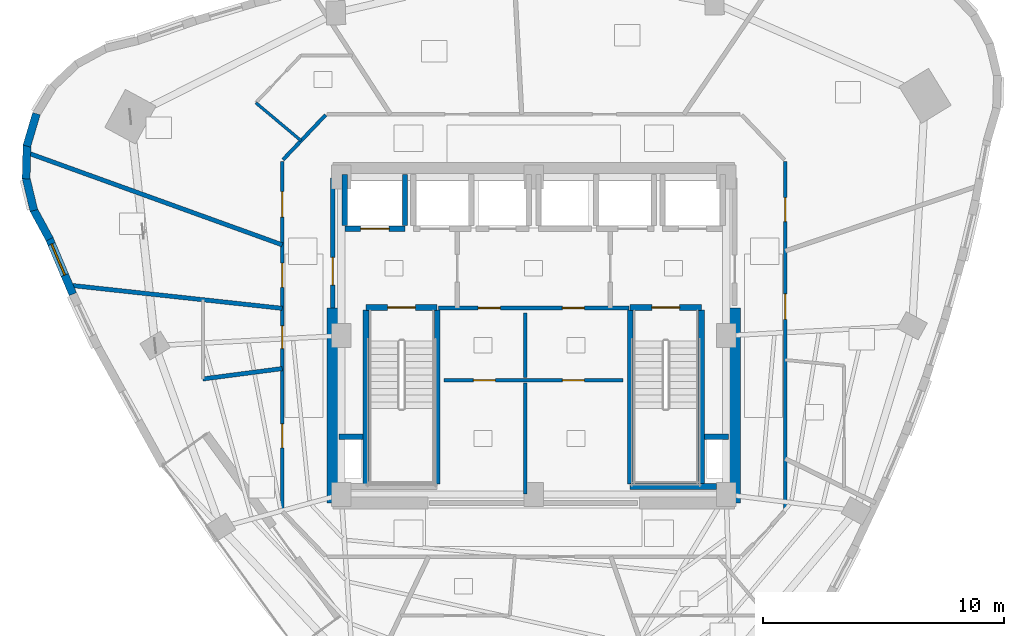
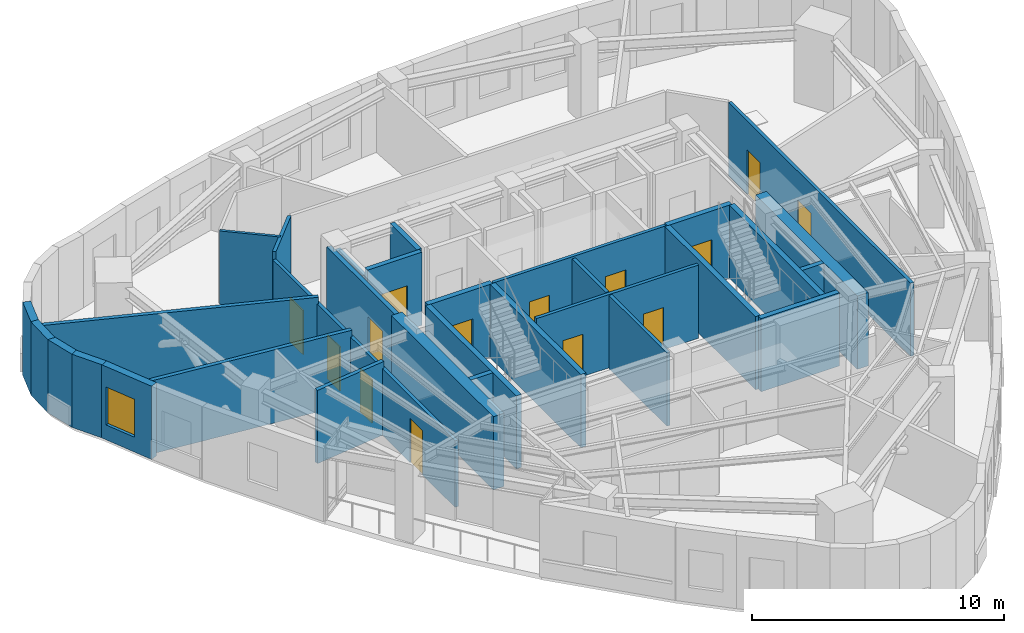
# One storey, part 7 of 13: 31 walls, 14 doors, 1 window, 15 openings.
"""IFC4 building model written with IfcOpenShell, lengths in metres."""

from ifc_helpers import new_model, si_unit, direction, frame, frame_2d, origin, place, context, subcontext, project, spatial, rectangle, extrude, material, layer, layer_set, type_object, element, fill, save


model = new_model("IFC4")

# Units and contexts
model_context = context("Model", 3, precision=1e-05, world=origin(), true_north=direction((0.0, 1.0)))
body_context = subcontext(model_context, "Body", "Model", "MODEL_VIEW")
ifc_project = project(units=[si_unit("LENGTHUNIT", "METRE"), si_unit("AREAUNIT", "SQUARE_METRE"), si_unit("VOLUMEUNIT", "CUBIC_METRE"), si_unit("PLANEANGLEUNIT", "RADIAN"), si_unit("MASSUNIT", "GRAM", prefix="KILO")], contexts=[model_context])

# Site, building, storey
site_placement = place(None, origin())
site = spatial("IfcSite", under=ifc_project, at=site_placement, CompositionType="ELEMENT")
building_placement = place(site_placement, origin())
building = spatial("IfcBuilding", under=site, at=building_placement, Name="Ndelora Gate Hotel", CompositionType="ELEMENT")
storey_placement = place(building_placement, frame((0.0, 0.0, 235.949951171875)))
storey = spatial("IfcBuildingStorey", under=building, at=storey_placement, Name="L59", CompositionType="ELEMENT", Elevation=235.949951171875)

# Walls
ifc_material_1 = material(Name="Acoustic Double-Stud Gypsum Assembly", Category="gypsum")
ifc_layer_1 = layer(ifc_material_1, 0.179931640625)
ifc_layer_set_1 = layer_set([ifc_layer_1], Name="Acoustic Double-Stud Gypsum Assembly")
wall_type_1 = type_object("IfcWallType", Name="WL-ACOUST-180", PredefinedType="PARTITIONING", material=ifc_layer_set_1)
wall_1_placement = place(storey_placement, frame((-10.449951171875, -1.3662109375, 0.0), z_axis=(0.0, 0.0, 1.0), x_axis=(-0.991563556278, -0.129621425164, 0.0)))
element("IfcWall", 1, at=wall_1_placement, inside=storey, type_object=wall_type_1, Name="L59 Interior Wall IW-3", PredefinedType="PARTITIONING", context=body_context, shape_type="SweptSolid", body=[
    extrude(rectangle(XDim=3.328125, YDim=0.179931640625, at=frame_2d((1.6640625, 0.0))), origin(), (0.0, 0.0, 1.0), 3.550048828125),
])
wall_2_placement = place(storey_placement, frame((-10.449951171875, 3.77490234375, 0.0), z_axis=(0.0, 0.0, 1.0), x_axis=(-0.9405132002, 0.339757148931, 0.0)))
element("IfcWall", 2, at=wall_2_placement, inside=storey, type_object=wall_type_1, Name="L59 Interior Wall IW-3", PredefinedType="PARTITIONING", context=body_context, shape_type="SweptSolid", body=[
    extrude(rectangle(XDim=11.28662109375, YDim=0.179931640625, at=frame_2d((5.643310546875, 0.0))), origin(), (0.0, 0.0, 1.0), 3.550048828125),
])
wall_3_placement = place(storey_placement, frame((-10.449951171875, 1.136474609375, 0.0), z_axis=(0.0, 0.0, 1.0), x_axis=(-0.994137295644, 0.108125100741, 0.0)))
element("IfcWall", 3, at=wall_3_placement, inside=storey, type_object=wall_type_1, Name="L59 Interior Wall IW-3", PredefinedType="PARTITIONING", context=body_context, shape_type="SweptSolid", body=[
    extrude(rectangle(XDim=8.912109375, YDim=0.179931640625, at=frame_2d((4.4560546875, 0.0))), origin(), (0.0, 0.0, 1.0), 3.550048828125),
])
ifc_material_2 = material(Name="Clay Brick Masonry", Category="masonry")
ifc_layer_2 = layer(ifc_material_2, 0.330078125)
ifc_layer_set_2 = layer_set([ifc_layer_2], Name="Clay Brick Masonry")
wall_type_2 = type_object("IfcWallType", Name="WL-BRICK-330", PredefinedType="SOLIDWALL", material=ifc_layer_set_2)
wall_4_placement = place(storey_placement, frame((-21.064697265625, 7.878173828125, 0.0), z_axis=(0.0, 0.0, 1.0), x_axis=(0.284100140437, 0.958794613149, 0.0)))
element("IfcWall", 4, at=wall_4_placement, inside=storey, type_object=wall_type_2, Name="L59 Tower Brick Pier-and-Spandrel Wall TWR-5", PredefinedType="SOLIDWALL", context=body_context, shape_type="SweptSolid", body=[
    extrude(rectangle(XDim=1.40771484375, YDim=0.330078125, at=frame_2d((0.703857421875, 0.0))), origin(), (0.0, 0.0, 1.0), 3.550048828125),
])
for number, where, z_axis, x_axis, name in (
    (5, (-21.09375, 6.520263671875, 0.0), (0.0, 0.0, 1.0), (0.02619264168, 0.999656913907, 0.0), "L59 Tower Brick Pier-and-Spandrel Wall TWR-6"),
    (6, (-20.770263671875, 5.200927734375, 0.0), (0.0, 0.0, 1.0), (-0.233464793771, 0.972365255482, 0.0), "L59 Tower Brick Pier-and-Spandrel Wall TWR-7"),
):
    element("IfcWall", number, at=place(storey_placement, frame(where, z_axis=z_axis, x_axis=x_axis)), inside=storey, type_object=wall_type_2, Name=name, PredefinedType="SOLIDWALL", context=body_context, shape_type="SweptSolid", body=[
        extrude(rectangle(XDim=1.407470703125, YDim=0.330078125, at=frame_2d((0.70361328125, 0.0))), origin(), (0.0, 0.0, 1.0), 3.550048828125),
    ])
wall_5_placement = place(storey_placement, frame((-20.116455078125, 4.01025390625, 0.0), z_axis=(0.0, 0.0, 1.0), x_axis=(-0.477137792558, 0.878828496871, 0.0)))
element("IfcWall", 7, at=wall_5_placement, inside=storey, type_object=wall_type_2, Name="L59 Tower Brick Pier-and-Spandrel Wall TWR-8", PredefinedType="SOLIDWALL", context=body_context, shape_type="SweptSolid", body=[
    extrude(rectangle(XDim=1.40771484375, YDim=0.330078125, at=frame_2d((0.703857421875, 0.0))), origin(), (0.0, 0.0, 1.0), 3.550048828125),
])

# Wall, opening, window
wall_6_placement = place(storey_placement, frame((-19.151611328125, 1.726806640625, 0.0), z_axis=(0.0, 0.0, 1.0), x_axis=(-0.390140710462, 0.920755247631, 0.0)))
wall_6 = element("IfcWall", 8, at=wall_6_placement, inside=storey, type_object=wall_type_2, Name="L59 Tower Brick Pier-and-Spandrel Wall TWR-9", PredefinedType="SOLIDWALL", context=body_context, shape_type="SweptSolid", body=[
    extrude(rectangle(XDim=2.52880859375, YDim=0.330078125, at=frame_2d((1.264404296875, 0.0))), origin(), (0.0, 0.0, 1.0), 3.550048828125),
])
opening_1_placement = place(wall_6_placement, frame((0.860107421875, 0.0, 0.719970703125)))
opening_1 = element("IfcOpeningElement", 9, at=opening_1_placement, cuts=wall_6, Name="Opening W02", PredefinedType="OPENING", context=body_context, shape_type="SweptSolid", body=[
    extrude(rectangle(XDim=1.39990234375, YDim=1.840087890625, at=frame_2d((0.699951171875, 0.919921875))), frame((0.0, 0.175048828125, 0.0), z_axis=(0.0, -1.0, 0.0), x_axis=(1.0, 0.0, 0.0)), (0.0, 0.0, 1.0), 0.35009765625),
])
ifc_material_3 = material(Name="Insulated Low-E Double Glazing in Bronze Aluminium Frame", Category="aluminium")
window_type = type_object("IfcWindowType", Name="WN-DEEP-1400", PartitioningType="SINGLE_PANEL", PredefinedType="WINDOW", material=ifc_material_3)
window_placement = place(opening_1_placement, origin())
window = element("IfcWindow", 10, at=window_placement, inside=storey, type_object=window_type, Name="L59 Deep-Set Brick-Pier Window W02", OverallHeight=1.840087890625, OverallWidth=1.39990234375, PartitioningType="SINGLE_PANEL", PredefinedType="WINDOW", context=body_context, shape_type="SweptSolid", body=[
    extrude(rectangle(XDim=1.39990234375, YDim=1.840087890625, at=frame_2d((0.699951171875, 0.919921875))), frame((0.0, 0.030029296875, 0.0), z_axis=(0.0, -1.0, 0.0), x_axis=(1.0, 0.0, 0.0)), (0.0, 0.0, 1.0), 0.06005859375),
])
fill(opening_1, window)

# Walls
ifc_material_4 = material(Name="Concrete C50/60", Category="concrete")
ifc_layer_3 = layer(ifc_material_4, 0.5)
ifc_layer_set_3 = layer_set([ifc_layer_3], Name="Concrete C50/60")
wall_type_3 = type_object("IfcWallType", Name="WL-CORE-500", PredefinedType="SHEAR", material=ifc_layer_set_3)
for number, where, z_axis, x_axis, name in (
    (11, (-8.35009765625, -6.949951171875, 0.0), (0.0, 0.0, 1.0), (0.0, 1.0, 0.0), "L59 Core Shear Wall W"),
    (12, (8.35009765625, -6.949951171875, 0.0), (0.0, 0.0, 1.0), (0.0, 1.0, 0.0), "L59 Core Shear Wall E"),
):
    element("IfcWall", number, at=place(storey_placement, frame(where, z_axis=z_axis, x_axis=x_axis)), inside=storey, type_object=wall_type_3, Name=name, PredefinedType="SHEAR", context=body_context, shape_type="SweptSolid", body=[
        extrude(rectangle(XDim=8.099853515625, YDim=0.5, at=frame_2d((4.0498046875, 0.0))), origin(), (0.0, 0.0, 1.0), 3.550048828125),
    ])

# Wall, opening, door
ifc_material_5 = material(Name="Concrete C40/50", Category="concrete")
ifc_layer_4 = layer(ifc_material_5, 0.199951171875)
ifc_layer_set_4 = layer_set([ifc_layer_4], Name="Concrete C40/50")
wall_type_4 = type_object("IfcWallType", Name="WL-FIRE-200", PredefinedType="PARTITIONING", material=ifc_layer_set_4)
wall_7_placement = place(storey_placement, frame((-8.35009765625, 1.14990234375, 0.0), z_axis=(0.0, 0.0, 1.0), x_axis=(0.0, 1.0, 0.0)))
wall_7 = element("IfcWall", 13, at=wall_7_placement, inside=storey, type_object=wall_type_4, Name="L59 Interior Wall IW-2", PredefinedType="PARTITIONING", context=body_context, shape_type="SweptSolid", body=[
    extrude(rectangle(XDim=5.400146484375, YDim=0.199951171875, at=frame_2d((2.7001953125, 0.0))), origin(), (0.0, 0.0, 1.0), 3.550048828125),
])
opening_2_placement = place(wall_7_placement, frame((0.949951171875, 0.0, 0.0)))
opening_2 = element("IfcOpeningElement", 14, at=opening_2_placement, cuts=wall_7, Name="Opening FD1", PredefinedType="OPENING", context=body_context, shape_type="SweptSolid", body=[
    extrude(rectangle(XDim=1.14990234375, YDim=2.14990234375, at=frame_2d((0.574951171875, 1.074951171875))), frame((0.0, 0.10986328125, 0.0), z_axis=(0.0, -1.0, 0.0), x_axis=(1.0, 0.0, 0.0)), (0.0, 0.0, 1.0), 0.219970703125),
])
ifc_material_6 = material(Name="Fire-Rated Timber-Veneer Steel Core", Category="steel")
door_type_1 = type_object("IfcDoorType", Name="DR-FD60", OperationType="SINGLE_SWING_LEFT", PredefinedType="DOOR", material=ifc_material_6)
door_1_placement = place(opening_2_placement, origin())
door_1 = element("IfcDoor", 15, at=door_1_placement, inside=storey, type_object=door_type_1, Name="L59 Firefighting Lobby West Corridor Door", OperationType="SINGLE_SWING_LEFT", OverallHeight=2.14990234375, OverallWidth=1.14990234375, PredefinedType="DOOR", context=body_context, shape_type="SweptSolid", body=[
    extrude(rectangle(XDim=1.14990234375, YDim=2.14990234375, at=frame_2d((0.574951171875, 1.074951171875))), frame((0.0, 0.02490234375, 0.0), z_axis=(0.0, -1.0, 0.0), x_axis=(1.0, 0.0, 0.0)), (0.0, 0.0, 1.0), 0.050048828125),
])
fill(opening_2, door_1)

# Wall, openings, doors
ifc_material_7 = material(Name="Fire-Rated Gypsum Stud Partition", Category="gypsum")
ifc_layer_5 = layer(ifc_material_7, 0.14990234375)
ifc_layer_set_5 = layer_set([ifc_layer_5], Name="Fire-Rated Gypsum Stud Partition")
wall_type_5 = type_object("IfcWallType", Name="WL-PART-150", PredefinedType="PARTITIONING", material=ifc_layer_set_5)
wall_8_placement = place(storey_placement, frame((3.949951171875, 1.14990234375, 0.0), z_axis=(0.0, 0.0, 1.0), x_axis=(-1.0, 0.0, 0.0)))
wall_8 = element("IfcWall", 16, at=wall_8_placement, inside=storey, type_object=wall_type_5, Name="L59 Interior Wall IW-5", PredefinedType="PARTITIONING", context=body_context, shape_type="SweptSolid", body=[
    extrude(rectangle(XDim=7.89990234375, YDim=0.14990234375, at=frame_2d((3.949951171875, 0.0))), origin(), (0.0, 0.0, 1.0), 3.550048828125),
])
opening_3_placement = place(wall_8_placement, frame((5.340087890625, 0.0, 0.0)))
opening_3 = element("IfcOpeningElement", 17, at=opening_3_placement, cuts=wall_8, Name="Opening D04", PredefinedType="OPENING", context=body_context, shape_type="SweptSolid", body=[
    extrude(rectangle(XDim=0.919921875, YDim=2.050048828125, at=frame_2d((0.4599609375, 1.02490234375))), frame((0.0, 0.0849609375, 0.0), z_axis=(0.0, -1.0, 0.0), x_axis=(1.0, 0.0, 0.0)), (0.0, 0.0, 1.0), 0.169921875),
])
opening_4_placement = place(wall_8_placement, frame((1.840087890625, 0.0, 0.0)))
opening_4 = element("IfcOpeningElement", 18, at=opening_4_placement, cuts=wall_8, Name="Opening D04", PredefinedType="OPENING", context=body_context, shape_type="SweptSolid", body=[
    extrude(rectangle(XDim=0.919921875, YDim=2.050048828125, at=frame_2d((0.4599609375, 1.02490234375))), frame((0.0, 0.0849609375, 0.0), z_axis=(0.0, -1.0, 0.0), x_axis=(1.0, 0.0, 0.0)), (0.0, 0.0, 1.0), 0.169921875),
])
ifc_material_8 = material(Name="Painted Steel Core Service Door", Category="steel")
door_type_2 = type_object("IfcDoorType", Name="DR-SER-920", OperationType="SINGLE_SWING_LEFT", PredefinedType="DOOR", material=ifc_material_8)
door_2_placement = place(opening_3_placement, origin())
door_2 = element("IfcDoor", 19, at=door_2_placement, inside=storey, type_object=door_type_2, Name="L59 Core Electrical Closet Door", OperationType="SINGLE_SWING_LEFT", OverallHeight=2.050048828125, OverallWidth=0.919921875, PredefinedType="DOOR", context=body_context, shape_type="SweptSolid", body=[
    extrude(rectangle(XDim=0.919921875, YDim=2.050048828125, at=frame_2d((0.4599609375, 1.02490234375))), frame((0.0, 0.02490234375, 0.0), z_axis=(0.0, -1.0, 0.0), x_axis=(1.0, 0.0, 0.0)), (0.0, 0.0, 1.0), 0.050048828125),
])
fill(opening_3, door_2)
door_3_placement = place(opening_4_placement, origin())
door_3 = element("IfcDoor", 20, at=door_3_placement, inside=storey, type_object=door_type_2, Name="L59 Comms Patching Store Door", OperationType="SINGLE_SWING_RIGHT", OverallHeight=2.050048828125, OverallWidth=0.919921875, PredefinedType="DOOR", context=body_context, shape_type="SweptSolid", body=[
    extrude(rectangle(XDim=0.919921875, YDim=2.050048828125, at=frame_2d((0.4599609375, 1.02490234375))), frame((0.0, 0.02490234375, 0.0), z_axis=(0.0, -1.0, 0.0), x_axis=(1.0, 0.0, 0.0)), (0.0, 0.0, 1.0), 0.050048828125),
])
fill(opening_4, door_3)

wall_9_placement = place(storey_placement, frame((-3.719970703125, -1.85009765625, 0.0), z_axis=(0.0, 0.0, 1.0), x_axis=(1.0, 0.0, 0.0)))
wall_9 = element("IfcWall", 21, at=wall_9_placement, inside=storey, type_object=wall_type_5, Name="L59 Interior Wall IW-5", PredefinedType="PARTITIONING", context=body_context, shape_type="SweptSolid", body=[
    extrude(rectangle(XDim=7.43994140625, YDim=0.14990234375, at=frame_2d((3.719970703125, 0.0))), origin(), (0.0, 0.0, 1.0), 3.550048828125),
])
opening_5_placement = place(wall_9_placement, frame((1.2099609375, 0.0, 0.0)))
opening_5 = element("IfcOpeningElement", 22, at=opening_5_placement, cuts=wall_9, Name="Opening D04", PredefinedType="OPENING", context=body_context, shape_type="SweptSolid", body=[
    extrude(rectangle(XDim=0.919921875, YDim=2.050048828125, at=frame_2d((0.4599609375, 1.02490234375))), frame((0.0, 0.0849609375, 0.0), z_axis=(0.0, -1.0, 0.0), x_axis=(1.0, 0.0, 0.0)), (0.0, 0.0, 1.0), 0.169921875),
])
opening_6_placement = place(wall_9_placement, frame((4.909912109375, 0.0, 0.0)))
opening_6 = element("IfcOpeningElement", 23, at=opening_6_placement, cuts=wall_9, Name="Opening D04", PredefinedType="OPENING", context=body_context, shape_type="SweptSolid", body=[
    extrude(rectangle(XDim=0.919921875, YDim=2.050048828125, at=frame_2d((0.4599609375, 1.02490234375))), frame((0.0, 0.0849609375, 0.0), z_axis=(0.0, -1.0, 0.0), x_axis=(1.0, 0.0, 0.0)), (0.0, 0.0, 1.0), 0.169921875),
])
door_4_placement = place(opening_5_placement, origin())
door_4 = element("IfcDoor", 24, at=door_4_placement, inside=storey, type_object=door_type_2, Name="L59 Core Service Internal Door", OperationType="SINGLE_SWING_LEFT", OverallHeight=2.050048828125, OverallWidth=0.919921875, PredefinedType="DOOR", context=body_context, shape_type="SweptSolid", body=[
    extrude(rectangle(XDim=0.919921875, YDim=2.050048828125, at=frame_2d((0.4599609375, 1.02490234375))), frame((0.0, 0.02490234375, 0.0), z_axis=(0.0, -1.0, 0.0), x_axis=(1.0, 0.0, 0.0)), (0.0, 0.0, 1.0), 0.050048828125),
])
fill(opening_5, door_4)
door_5_placement = place(opening_6_placement, origin())
door_5 = element("IfcDoor", 25, at=door_5_placement, inside=storey, type_object=door_type_2, Name="L59 Core Service Internal Door", OperationType="SINGLE_SWING_LEFT", OverallHeight=2.050048828125, OverallWidth=0.919921875, PredefinedType="DOOR", context=body_context, shape_type="SweptSolid", body=[
    extrude(rectangle(XDim=0.919921875, YDim=2.050048828125, at=frame_2d((0.4599609375, 1.02490234375))), frame((0.0, 0.02490234375, 0.0), z_axis=(0.0, -1.0, 0.0), x_axis=(1.0, 0.0, 0.0)), (0.0, 0.0, 1.0), 0.050048828125),
])
fill(opening_6, door_5)

# Walls
wall_10_placement = place(storey_placement, frame((-0.35009765625, -6.580078125, 0.0), z_axis=(0.0, 0.0, 1.0), x_axis=(0.0, 1.0, 0.0)))
element("IfcWall", 26, at=wall_10_placement, inside=storey, type_object=wall_type_5, Name="L59 Interior Wall IW-5", PredefinedType="PARTITIONING", context=body_context, shape_type="SweptSolid", body=[
    extrude(rectangle(XDim=4.610107421875, YDim=0.14990234375, at=frame_2d((2.30517578125, 0.0))), origin(), (0.0, 0.0, 1.0), 3.550048828125),
])
wall_11_placement = place(storey_placement, frame((-0.35009765625, -1.72998046875, 0.0), z_axis=(0.0, 0.0, 1.0), x_axis=(0.0, 1.0, 0.0)))
element("IfcWall", 27, at=wall_11_placement, inside=storey, type_object=wall_type_5, Name="L59 Interior Wall IW-5", PredefinedType="PARTITIONING", context=body_context, shape_type="SweptSolid", body=[
    extrude(rectangle(XDim=2.679931640625, YDim=0.14990234375, at=frame_2d((1.33984375, 0.0))), origin(), (0.0, 0.0, 1.0), 3.550048828125),
])

# Wall, openings, doors
wall_12_placement = place(storey_placement, frame((10.449951171875, 7.239990234375, 0.0), z_axis=(0.0, 0.0, 1.0), x_axis=(0.0, -1.0, 0.0)))
wall_12 = element("IfcWall", 28, at=wall_12_placement, inside=storey, type_object=wall_type_5, Name="L59 Interior Wall IW-5", PredefinedType="PARTITIONING", context=body_context, shape_type="SweptSolid", body=[
    extrude(rectangle(XDim=14.47998046875, YDim=0.14990234375, at=frame_2d((7.239990234375, 0.0))), origin(), (0.0, 0.0, 1.0), 3.550048828125),
])
opening_7_placement = place(wall_12_placement, frame((5.4990234375, 0.0, 0.0)))
opening_7 = element("IfcOpeningElement", 29, at=opening_7_placement, cuts=wall_12, Name="Opening D07", PredefinedType="OPENING", context=body_context, shape_type="SweptSolid", body=[
    extrude(rectangle(XDim=1.06005859375, YDim=2.14990234375, at=frame_2d((0.530029296875, 1.074951171875))), frame((0.0, 0.0849609375, 0.0), z_axis=(0.0, -1.0, 0.0), x_axis=(1.0, 0.0, 0.0)), (0.0, 0.0, 1.0), 0.169921875),
])
opening_8_placement = place(wall_12_placement, frame((1.49951171875, 0.0, 0.0)))
opening_8 = element("IfcOpeningElement", 30, at=opening_8_placement, cuts=wall_12, Name="Opening D01", PredefinedType="OPENING", context=body_context, shape_type="SweptSolid", body=[
    extrude(rectangle(XDim=1.0, YDim=2.14990234375, at=frame_2d((0.5, 1.074951171875))), frame((0.0, 0.0849609375, 0.0), z_axis=(0.0, -1.0, 0.0), x_axis=(1.0, 0.0, 0.0)), (0.0, 0.0, 1.0), 0.169921875),
])
ifc_material_9 = material(Name="Acoustic Hardwood Guest Entrance Door", Category="wood")
door_type_3 = type_object("IfcDoorType", Name="DR-COR-1000", OperationType="SINGLE_SWING_LEFT", PredefinedType="DOOR", material=ifc_material_9)
door_6_placement = place(opening_8_placement, origin())
door_6 = element("IfcDoor", 31, at=door_6_placement, inside=storey, type_object=door_type_3, Name="L59 Highland Reading Library Entrance Door", OperationType="SINGLE_SWING_RIGHT", OverallHeight=2.14990234375, OverallWidth=1.0, PredefinedType="DOOR", context=body_context, shape_type="SweptSolid", body=[
    extrude(rectangle(XDim=1.0, YDim=2.14990234375, at=frame_2d((0.5, 1.074951171875))), frame((0.0, 0.02490234375, 0.0), z_axis=(0.0, -1.0, 0.0), x_axis=(1.0, 0.0, 0.0)), (0.0, 0.0, 1.0), 0.050048828125),
])
fill(opening_8, door_6)
ifc_material_10 = material(Name="Diplomatic Suite Acoustic Entrance Door", Category="wood")
door_type_4 = type_object("IfcDoorType", Name="DR-SUITE-1060", OperationType="SINGLE_SWING_LEFT", PredefinedType="DOOR", material=ifc_material_10)
door_7_placement = place(opening_7_placement, origin())
door_7 = element("IfcDoor", 32, at=door_7_placement, inside=storey, type_object=door_type_4, Name="L59 Grand Highland Diplomatic Suite 6203 Entrance Door", OperationType="SINGLE_SWING_RIGHT", OverallHeight=2.14990234375, OverallWidth=1.06005859375, PredefinedType="DOOR", context=body_context, shape_type="SweptSolid", body=[
    extrude(rectangle(XDim=1.06005859375, YDim=2.14990234375, at=frame_2d((0.530029296875, 1.074951171875))), frame((0.0, 0.02490234375, 0.0), z_axis=(0.0, -1.0, 0.0), x_axis=(1.0, 0.0, 0.0)), (0.0, 0.0, 1.0), 0.050048828125),
])
fill(opening_7, door_7)

# Wall
wall_13_placement = place(storey_placement, frame((-10.42236328125, 7.30908203125, 0.0), z_axis=(0.0, 0.0, 1.0), x_axis=(0.689960858356, 0.723846678473, 0.0)))
element("IfcWall", 33, at=wall_13_placement, inside=storey, type_object=wall_type_5, Name="L59 Interior Wall IW-5", PredefinedType="PARTITIONING", context=body_context, shape_type="SweptSolid", body=[
    extrude(rectangle(XDim=2.572021484375, YDim=0.14990234375, at=frame_2d((1.2861328125, 0.0))), origin(), (0.0, 0.0, 1.0), 3.550048828125),
])

# Wall, openings, doors
wall_14_placement = place(storey_placement, frame((-10.449951171875, -7.239990234375, 0.0), z_axis=(0.0, 0.0, 1.0), x_axis=(0.0, 1.0, 0.0)))
wall_14 = element("IfcWall", 34, at=wall_14_placement, inside=storey, type_object=wall_type_5, Name="L59 Interior Wall IW-5", PredefinedType="PARTITIONING", context=body_context, shape_type="SweptSolid", body=[
    extrude(rectangle(XDim=14.47998046875, YDim=0.14990234375, at=frame_2d((7.239990234375, 0.0))), origin(), (0.0, 0.0, 1.0), 3.22998046875),
])
opening_9_placement = place(wall_14_placement, frame((6.699951171875, 0.0, 0.0)))
opening_9 = element("IfcOpeningElement", 35, at=opening_9_placement, cuts=wall_14, Name="Opening D05", PredefinedType="OPENING", context=body_context, shape_type="SweptSolid", body=[
    extrude(rectangle(XDim=0.949951171875, YDim=2.10009765625, at=frame_2d((0.47509765625, 1.050048828125))), frame((0.0, 0.0849609375, 0.0), z_axis=(0.0, -1.0, 0.0), x_axis=(1.0, 0.0, 0.0)), (0.0, 0.0, 1.0), 0.169921875),
])
opening_10_placement = place(wall_14_placement, frame((9.2509765625, 0.0, 0.0)))
opening_10 = element("IfcOpeningElement", 36, at=opening_10_placement, cuts=wall_14, Name="Opening D01", PredefinedType="OPENING", context=body_context, shape_type="SweptSolid", body=[
    extrude(rectangle(XDim=1.0, YDim=2.14990234375, at=frame_2d((0.5, 1.074951171875))), frame((0.0, 0.0849609375, 0.0), z_axis=(0.0, -1.0, 0.0), x_axis=(1.0, 0.0, 0.0)), (0.0, 0.0, 1.0), 0.169921875),
])
opening_11_placement = place(wall_14_placement, frame((2.576904296875, 0.0, 0.0)))
opening_11 = element("IfcOpeningElement", 37, at=opening_11_placement, cuts=wall_14, Name="Opening D01", PredefinedType="OPENING", context=body_context, shape_type="SweptSolid", body=[
    extrude(rectangle(XDim=1.0, YDim=2.14990234375, at=frame_2d((0.5, 1.074951171875))), frame((0.0, 0.0849609375, 0.0), z_axis=(0.0, -1.0, 0.0), x_axis=(1.0, 0.0, 0.0)), (0.0, 0.0, 1.0), 0.169921875),
])
opening_12_placement = place(wall_14_placement, frame((12.16748046875, 0.0, 0.0)))
opening_12 = element("IfcOpeningElement", 38, at=opening_12_placement, cuts=wall_14, Name="Opening D07", PredefinedType="OPENING", context=body_context, shape_type="SweptSolid", body=[
    extrude(rectangle(XDim=1.06005859375, YDim=2.14990234375, at=frame_2d((0.530029296875, 1.074951171875))), frame((0.0, 0.0849609375, 0.0), z_axis=(0.0, -1.0, 0.0), x_axis=(1.0, 0.0, 0.0)), (0.0, 0.0, 1.0), 0.169921875),
])
ifc_material_11 = material(Name="Accessible Restroom Wide-Clearance Door", Category="wood")
door_type_5 = type_object("IfcDoorType", Name="DR-ACC-950", OperationType="SINGLE_SWING_LEFT", PredefinedType="DOOR", material=ifc_material_11)
door_8_placement = place(opening_9_placement, origin())
door_8 = element("IfcDoor", 39, at=door_8_placement, inside=storey, type_object=door_type_5, Name="L59 Accessible WC Entrance Door", OperationType="SINGLE_SWING_RIGHT", OverallHeight=2.10009765625, OverallWidth=0.949951171875, PredefinedType="DOOR", context=body_context, shape_type="SweptSolid", body=[
    extrude(rectangle(XDim=0.949951171875, YDim=2.10009765625, at=frame_2d((0.47509765625, 1.050048828125))), frame((0.0, 0.02490234375, 0.0), z_axis=(0.0, -1.0, 0.0), x_axis=(1.0, 0.0, 0.0)), (0.0, 0.0, 1.0), 0.050048828125),
])
fill(opening_9, door_8)
door_9_placement = place(opening_10_placement, origin())
door_9 = element("IfcDoor", 40, at=door_9_placement, inside=storey, type_object=door_type_3, Name="L59 Housekeeping and Linen Room Entrance Door", OperationType="SINGLE_SWING_LEFT", OverallHeight=2.14990234375, OverallWidth=1.0, PredefinedType="DOOR", context=body_context, shape_type="SweptSolid", body=[
    extrude(rectangle(XDim=1.0, YDim=2.14990234375, at=frame_2d((0.5, 1.074951171875))), frame((0.0, 0.02490234375, 0.0), z_axis=(0.0, -1.0, 0.0), x_axis=(1.0, 0.0, 0.0)), (0.0, 0.0, 1.0), 0.050048828125),
])
fill(opening_10, door_9)
door_10_placement = place(opening_11_placement, origin())
door_10 = element("IfcDoor", 41, at=door_10_placement, inside=storey, type_object=door_type_3, Name="L59 Sky Garden Tea Dining Room Entrance Door", OperationType="SINGLE_SWING_LEFT", OverallHeight=2.14990234375, OverallWidth=1.0, PredefinedType="DOOR", context=body_context, shape_type="SweptSolid", body=[
    extrude(rectangle(XDim=1.0, YDim=2.14990234375, at=frame_2d((0.5, 1.074951171875))), frame((0.0, 0.02490234375, 0.0), z_axis=(0.0, -1.0, 0.0), x_axis=(1.0, 0.0, 0.0)), (0.0, 0.0, 1.0), 0.050048828125),
])
fill(opening_11, door_10)
door_11_placement = place(opening_12_placement, origin())
door_11 = element("IfcDoor", 42, at=door_11_placement, inside=storey, type_object=door_type_4, Name="L59 Altitude King Junior Suite 6204 Entrance Door", OperationType="SINGLE_SWING_LEFT", OverallHeight=2.14990234375, OverallWidth=1.06005859375, PredefinedType="DOOR", context=body_context, shape_type="SweptSolid", body=[
    extrude(rectangle(XDim=1.06005859375, YDim=2.14990234375, at=frame_2d((0.530029296875, 1.074951171875))), frame((0.0, 0.02490234375, 0.0), z_axis=(0.0, -1.0, 0.0), x_axis=(1.0, 0.0, 0.0)), (0.0, 0.0, 1.0), 0.050048828125),
])
fill(opening_12, door_11)

# Walls
ifc_layer_6 = layer(ifc_material_5, 0.219970703125)
ifc_layer_set_6 = layer_set([ifc_layer_6], Name="Concrete C40/50")
wall_type_6 = type_object("IfcWallType", Name="WL-SHAFT-220", PredefinedType="PARTITIONING", material=ifc_layer_set_6)
for number, where, z_axis, x_axis, name in (
    (43, (-8.10009765625, -4.199951171875, 0.0), (0.0, 0.0, 1.0), (1.0, 0.0, 0.0), "L59 Interior Wall IW-1"),
    (44, (7.090087890625, -4.199951171875, 0.0), (0.0, 0.0, 1.0), (1.0, 0.0, 0.0), "L59 Interior Wall IW-1"),
):
    element("IfcWall", number, at=place(storey_placement, frame(where, z_axis=z_axis, x_axis=x_axis)), inside=storey, type_object=wall_type_6, Name=name, PredefinedType="PARTITIONING", context=body_context, shape_type="SweptSolid", body=[
        extrude(rectangle(XDim=1.010009765625, YDim=0.219970703125, at=frame_2d((0.5048828125, 0.0))), origin(), (0.0, 0.0, 1.0), 3.550048828125),
    ])

# Wall, opening, door
wall_15_placement = place(storey_placement, frame((-7.85009765625, 4.449951171875, 0.0), z_axis=(0.0, 0.0, 1.0), x_axis=(1.0, 0.0, 0.0)))
wall_15 = element("IfcWall", 45, at=wall_15_placement, inside=storey, type_object=wall_type_6, Name="L59 Interior Wall IW-1", PredefinedType="PARTITIONING", context=body_context, shape_type="SweptSolid", body=[
    extrude(rectangle(XDim=2.5, YDim=0.219970703125, at=frame_2d((1.25, 0.0))), origin(), (0.0, 0.0, 1.0), 3.550048828125),
])
opening_13_placement = place(wall_15_placement, frame((0.659912109375, 0.0, 0.0)))
opening_13 = element("IfcOpeningElement", 46, at=opening_13_placement, cuts=wall_15, Name="Opening LD5", PredefinedType="OPENING", context=body_context, shape_type="SweptSolid", body=[
    extrude(rectangle(XDim=1.179931640625, YDim=2.14990234375, at=frame_2d((0.58984375, 1.074951171875))), frame((0.0, 0.1201171875, 0.0), z_axis=(0.0, -1.0, 0.0), x_axis=(1.0, 0.0, 0.0)), (0.0, 0.0, 1.0), 0.239990234375),
])
ifc_material_12 = material(Name="Firefighting Lift Stainless Sliding Landing Door", Category="metal")
door_type_6 = type_object("IfcDoorType", Name="DR-LD5", OperationType="DOUBLE_DOOR_SLIDING", PredefinedType="DOOR", material=ifc_material_12)
door_12_placement = place(opening_13_placement, origin())
door_12 = element("IfcDoor", 47, at=door_12_placement, inside=storey, type_object=door_type_6, Name="L59 Lift Landing Sliding Door FFL1", OperationType="DOUBLE_DOOR_SLIDING", OverallHeight=2.14990234375, OverallWidth=1.179931640625, PredefinedType="DOOR", context=body_context, shape_type="SweptSolid", body=[
    extrude(rectangle(XDim=1.179931640625, YDim=2.14990234375, at=frame_2d((0.58984375, 1.074951171875))), frame((0.0, 0.02490234375, 0.0), z_axis=(0.0, -1.0, 0.0), x_axis=(1.0, 0.0, 0.0)), (0.0, 0.0, 1.0), 0.050048828125),
])
fill(opening_13, door_12)

# Walls
wall_16_placement = place(storey_placement, frame((-7.85009765625, 4.570068359375, 0.0), z_axis=(0.0, 0.0, 1.0), x_axis=(0.0, 1.0, 0.0)))
element("IfcWall", 48, at=wall_16_placement, inside=storey, type_object=wall_type_6, Name="L59 Interior Wall IW-1", PredefinedType="PARTITIONING", context=body_context, shape_type="SweptSolid", body=[
    extrude(rectangle(XDim=2.1298828125, YDim=0.219970703125, at=frame_2d((1.06494140625, 0.0))), origin(), (0.0, 0.0, 1.0), 3.179931640625),
])
wall_17_placement = place(storey_placement, frame((-5.35009765625, 4.570068359375, 0.0), z_axis=(0.0, 0.0, 1.0), x_axis=(0.0, 1.0, 0.0)))
element("IfcWall", 49, at=wall_17_placement, inside=storey, type_object=wall_type_6, Name="L59 Interior Wall IW-1", PredefinedType="PARTITIONING", context=body_context, shape_type="SweptSolid", body=[
    extrude(rectangle(XDim=2.1298828125, YDim=0.219970703125, at=frame_2d((1.06494140625, 0.0))), origin(), (0.0, 0.0, 1.0), 3.550048828125),
])
ifc_layer_7 = layer(ifc_material_4, 0.239990234375)
ifc_layer_set_7 = layer_set([ifc_layer_7], Name="Concrete C50/60")
wall_type_7 = type_object("IfcWallType", Name="WL-STAIR-240", PredefinedType="SHEAR", material=ifc_layer_set_7)
for number, where, z_axis, x_axis, name in (
    (50, (-6.969970703125, -6.159912109375, 0.0), (0.0, 0.0, 1.0), (0.0, 1.0, 0.0), "L59 Stair Core Shear Wall SW-ST"),
    (51, (-4.010009765625, -6.159912109375, 0.0), (0.0, 0.0, 1.0), (0.0, 1.0, 0.0), "L59 Stair Core Shear Wall SW-ST"),
):
    element("IfcWall", number, at=place(storey_placement, frame(where, z_axis=z_axis, x_axis=x_axis)), inside=storey, type_object=wall_type_7, Name=name, PredefinedType="SHEAR", context=body_context, shape_type="SweptSolid", body=[
        extrude(rectangle(XDim=7.219970703125, YDim=0.239990234375, at=frame_2d((3.60986328125, 0.0))), origin(), (0.0, 0.0, 1.0), 3.550048828125),
    ])

# Wall, opening, door
wall_18_placement = place(storey_placement, frame((-6.969970703125, 1.169921875, 0.0), z_axis=(0.0, 0.0, 1.0), x_axis=(1.0, 0.0, 0.0)))
wall_18 = element("IfcWall", 52, at=wall_18_placement, inside=storey, type_object=wall_type_7, Name="L59 Stair Core Shear Wall SW-ST", PredefinedType="SHEAR", context=body_context, shape_type="SweptSolid", body=[
    extrude(rectangle(XDim=2.9599609375, YDim=0.239990234375, at=frame_2d((1.47998046875, 0.0))), origin(), (0.0, 0.0, 1.0), 3.550048828125),
])
opening_14_placement = place(wall_18_placement, frame((0.89990234375, 0.0, 0.0)))
opening_14 = element("IfcOpeningElement", 53, at=opening_14_placement, cuts=wall_18, Name="Opening FD1", PredefinedType="OPENING", context=body_context, shape_type="SweptSolid", body=[
    extrude(rectangle(XDim=1.14990234375, YDim=2.14990234375, at=frame_2d((0.574951171875, 1.074951171875))), frame((0.0, 0.1298828125, 0.0), z_axis=(0.0, -1.0, 0.0), x_axis=(1.0, 0.0, 0.0)), (0.0, 0.0, 1.0), 0.260009765625),
])
door_13_placement = place(opening_14_placement, origin())
door_13 = element("IfcDoor", 54, at=door_13_placement, inside=storey, type_object=door_type_1, Name="L59 Exit Stair ST4 Door", OperationType="SINGLE_SWING_LEFT", OverallHeight=2.14990234375, OverallWidth=1.14990234375, PredefinedType="DOOR", context=body_context, shape_type="SweptSolid", body=[
    extrude(rectangle(XDim=1.14990234375, YDim=2.14990234375, at=frame_2d((0.574951171875, 1.074951171875))), frame((0.0, 0.02490234375, 0.0), z_axis=(0.0, -1.0, 0.0), x_axis=(1.0, 0.0, 0.0)), (0.0, 0.0, 1.0), 0.050048828125),
])
fill(opening_14, door_13)

# Walls
for number, where, z_axis, x_axis, name in (
    (55, (4.010009765625, -6.159912109375, 0.0), (0.0, 0.0, 1.0), (0.0, 1.0, 0.0), "L59 Stair Core Shear Wall SW-ST"),
    (56, (6.969970703125, -6.159912109375, 0.0), (0.0, 0.0, 1.0), (0.0, 1.0, 0.0), "L59 Stair Core Shear Wall SW-ST"),
):
    element("IfcWall", number, at=place(storey_placement, frame(where, z_axis=z_axis, x_axis=x_axis)), inside=storey, type_object=wall_type_7, Name=name, PredefinedType="SHEAR", context=body_context, shape_type="SweptSolid", body=[
        extrude(rectangle(XDim=7.219970703125, YDim=0.239990234375, at=frame_2d((3.60986328125, 0.0))), origin(), (0.0, 0.0, 1.0), 3.550048828125),
    ])
wall_19_placement = place(storey_placement, frame((4.010009765625, -6.27001953125, 0.0), z_axis=(0.0, 0.0, 1.0), x_axis=(1.0, 0.0, 0.0)))
element("IfcWall", 57, at=wall_19_placement, inside=storey, type_object=wall_type_7, Name="L59 Stair Core Shear Wall SW-ST", PredefinedType="SHEAR", context=body_context, shape_type="SweptSolid", body=[
    extrude(rectangle(XDim=3.590087890625, YDim=0.239990234375, at=frame_2d((1.794921875, 0.0))), origin(), (0.0, 0.0, 1.0), 3.550048828125),
])

# Wall, opening, door
wall_20_placement = place(storey_placement, frame((4.010009765625, 1.169921875, 0.0), z_axis=(0.0, 0.0, 1.0), x_axis=(1.0, 0.0, 0.0)))
wall_20 = element("IfcWall", 58, at=wall_20_placement, inside=storey, type_object=wall_type_7, Name="L59 Stair Core Shear Wall SW-ST", PredefinedType="SHEAR", context=body_context, shape_type="SweptSolid", body=[
    extrude(rectangle(XDim=2.9599609375, YDim=0.239990234375, at=frame_2d((1.47998046875, 0.0))), origin(), (0.0, 0.0, 1.0), 3.550048828125),
])
opening_15_placement = place(wall_20_placement, frame((0.89990234375, 0.0, 0.0)))
opening_15 = element("IfcOpeningElement", 59, at=opening_15_placement, cuts=wall_20, Name="Opening FD1", PredefinedType="OPENING", context=body_context, shape_type="SweptSolid", body=[
    extrude(rectangle(XDim=1.14990234375, YDim=2.14990234375, at=frame_2d((0.574951171875, 1.074951171875))), frame((0.0, 0.1298828125, 0.0), z_axis=(0.0, -1.0, 0.0), x_axis=(1.0, 0.0, 0.0)), (0.0, 0.0, 1.0), 0.260009765625),
])
door_14_placement = place(opening_15_placement, origin())
door_14 = element("IfcDoor", 60, at=door_14_placement, inside=storey, type_object=door_type_1, Name="L59 Exit Stair ST5 Door", OperationType="SINGLE_SWING_RIGHT", OverallHeight=2.14990234375, OverallWidth=1.14990234375, PredefinedType="DOOR", context=body_context, shape_type="SweptSolid", body=[
    extrude(rectangle(XDim=1.14990234375, YDim=2.14990234375, at=frame_2d((0.574951171875, 1.074951171875))), frame((0.0, 0.02490234375, 0.0), z_axis=(0.0, -1.0, 0.0), x_axis=(1.0, 0.0, 0.0)), (0.0, 0.0, 1.0), 0.050048828125),
])
fill(opening_15, door_14)

# Wall
ifc_material_13 = material(Name="Moisture-Resistant Bathroom Tile Partition", Category="gypsum")
ifc_layer_8 = layer(ifc_material_13, 0.1201171875)
ifc_layer_set_8 = layer_set([ifc_layer_8], Name="Moisture-Resistant Bathroom Tile Partition")
wall_type_8 = type_object("IfcWallType", Name="WL-WET-120", PredefinedType="PARTITIONING", material=ifc_layer_set_8)
wall_21_placement = place(storey_placement, frame((-9.666015625, 8.102783203125, 0.0), z_axis=(0.0, 0.0, 1.0), x_axis=(-0.766392114791, 0.64237304301, 0.0)))
element("IfcWall", 61, at=wall_21_placement, inside=storey, type_object=wall_type_8, Name="L59 Interior Wall IW-7", PredefinedType="PARTITIONING", context=body_context, shape_type="SweptSolid", body=[
    extrude(rectangle(XDim=2.454833984375, YDim=0.1201171875, at=frame_2d((1.2275390625, 0.0))), origin(), (0.0, 0.0, 1.0), 3.550048828125),
])

save(model, "model.ifc")
